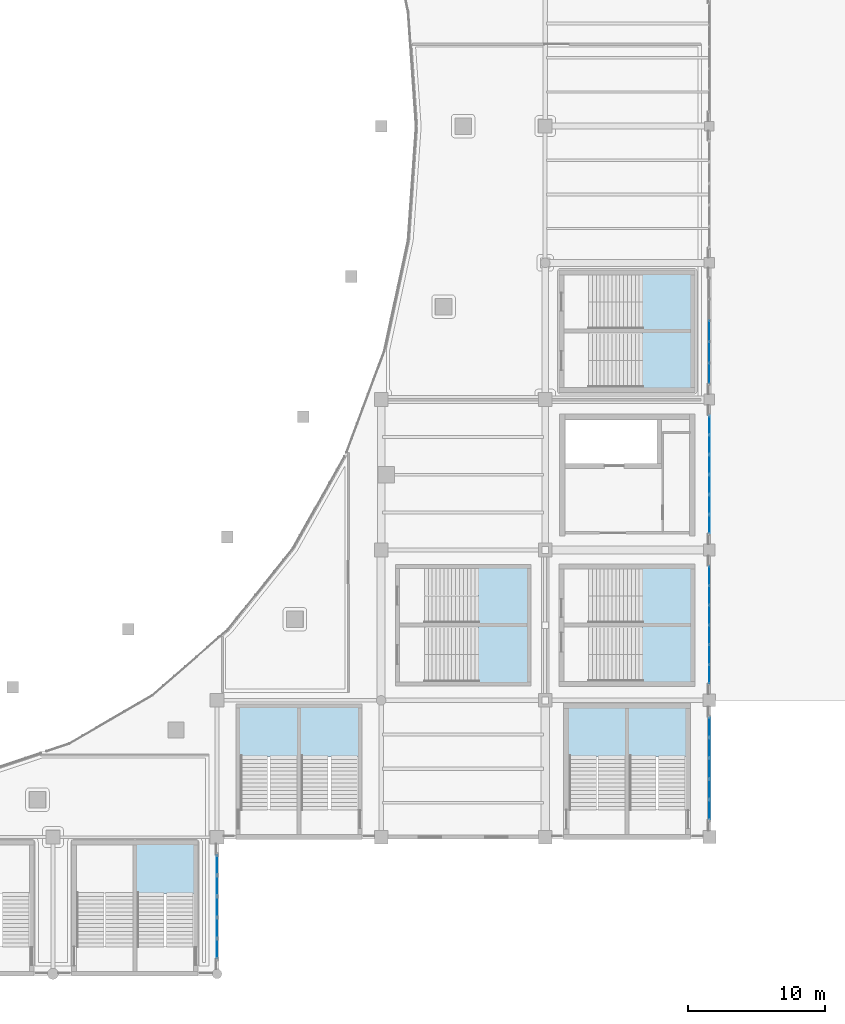
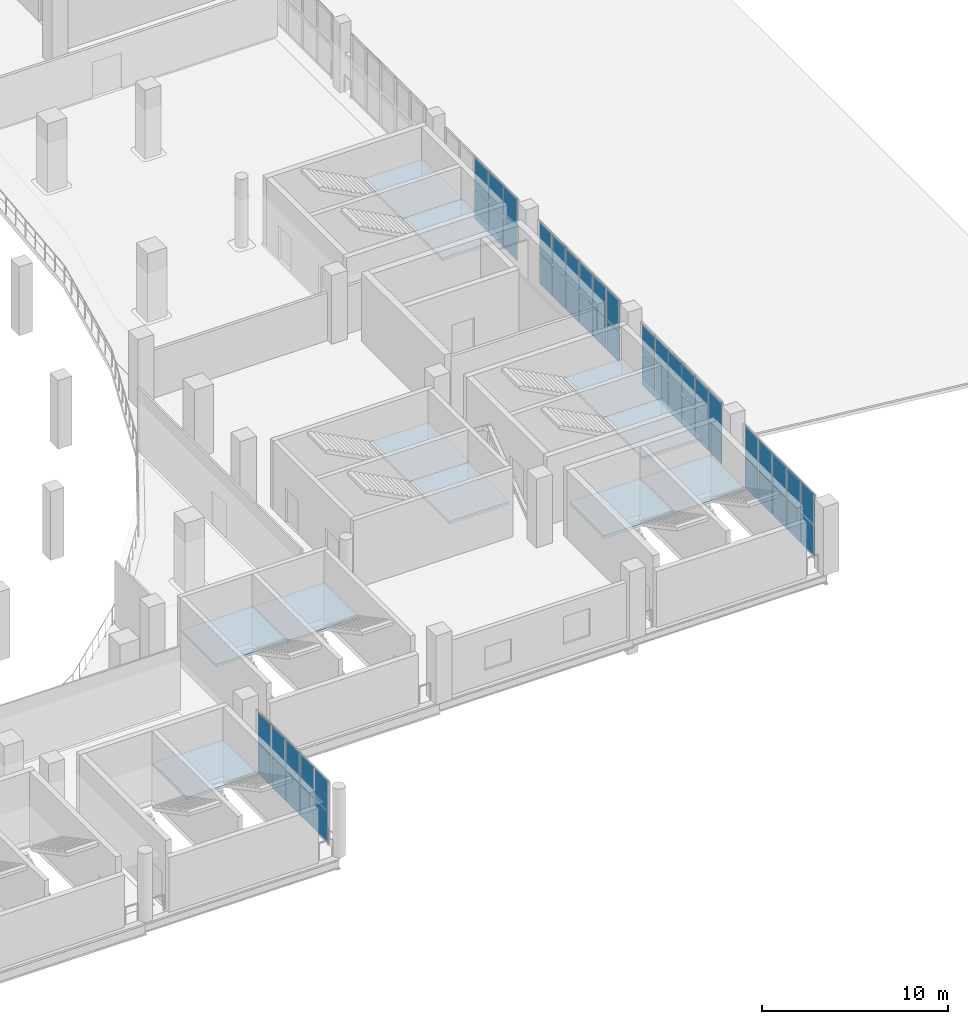
# One storey, part 74 of 108: 50 plates, 11 slabs, 16 elements without a shape of their own.
"""IFC4 building model written with IfcOpenShell, lengths in metres."""

from ifc_helpers import new_model, si_unit, direction, frame, origin, origin_2d, place, context, subcontext, project, spatial, polyline, rectangle, outline, extrude, material, layer, layer_set, type_object, element, aggregate, save


model = new_model("IFC4")

# Units and contexts
model_context = context("Model", 3, precision=1e-05, world=origin(), true_north=direction((0.0, 1.0)))
body_context = subcontext(model_context, "Body", "Model", "MODEL_VIEW")
ifc_project = project(units=[si_unit("LENGTHUNIT", "METRE"), si_unit("AREAUNIT", "SQUARE_METRE"), si_unit("VOLUMEUNIT", "CUBIC_METRE"), si_unit("PLANEANGLEUNIT", "RADIAN"), si_unit("MASSUNIT", "GRAM", prefix="KILO")], contexts=[model_context])

# Site, building, storey
site_placement = place(None, origin())
site = spatial("IfcSite", under=ifc_project, at=site_placement, CompositionType="ELEMENT")
building_placement = place(site_placement, origin())
building = spatial("IfcBuilding", under=site, at=building_placement, Name="Brinegate Civic Arena", CompositionType="ELEMENT")
storey_placement = place(building_placement, frame((0.0, 0.0, 10.199951171875)))
storey = spatial("IfcBuildingStorey", under=building, at=storey_placement, Name="L02", CompositionType="ELEMENT", Elevation=10.199951171875)

# Curtain wall, plates
ifc_material_1 = material(Name="Marine grade aluminium", Category="aluminium")
ifc_layer_1 = layer(ifc_material_1, 0.199951171875, Name="Marine grade aluminium")
ifc_layer_set_1 = layer_set([ifc_layer_1], Name="Marine grade aluminium")
curtain_wall_type_1 = type_object("IfcCurtainWallType", Name="CW-BOWL-GLAZED-01", PredefinedType="USERDEFINED", material=ifc_layer_set_1)
curtain_wall_1_placement = place(storey_placement, origin())
curtain_wall_1 = element("IfcCurtainWall", 1, at=curtain_wall_1_placement, inside=storey, type_object=curtain_wall_type_1, Name="Curtain Wall CWA-076", ObjectType="GLAZED CURTAIN WALL", PredefinedType="USERDEFINED")
ifc_material_2 = material(Name="Hurricane laminated low-E glass", Category="glass")
ifc_layer_2 = layer(ifc_material_2, 0.028076171875, Name="Hurricane laminated low-E glass")
ifc_layer_set_2 = layer_set([ifc_layer_2], Name="Hurricane laminated low-E glass")
plate_type_1 = type_object("IfcPlateType", Name="CW-PANEL-GLAZED-28", PredefinedType="CURTAIN_PANEL", material=ifc_layer_set_2)
plate_1_placement = place(storey_placement, frame((168.0, 21.924072265625, 0.0751953125), z_axis=(0.0, 0.0, 1.0), x_axis=(0.0, 1.0, 0.0)))
plate_1 = element("IfcPlate", 2, at=plate_1_placement, type_object=plate_type_1, Name="CWA-076 panel 1.1", PredefinedType="CURTAIN_PANEL", context=body_context, shape_type="SweptSolid", body=[
    extrude(rectangle(XDim=1.346435546875, YDim=0.028076171875, at=origin_2d()), origin(), (0.0, 0.0, 1.0), 1.96240234375),
])
plate_2_placement = place(storey_placement, frame((168.0, 21.924072265625, 2.112548828125), z_axis=(0.0, 0.0, 1.0), x_axis=(0.0, 1.0, 0.0)))
plate_2 = element("IfcPlate", 3, at=plate_2_placement, type_object=plate_type_1, Name="CWA-076 panel 1.2", PredefinedType="CURTAIN_PANEL", context=body_context, shape_type="SweptSolid", body=[
    extrude(rectangle(XDim=1.346435546875, YDim=0.028076171875, at=origin_2d()), origin(), (0.0, 0.0, 1.0), 1.96240234375),
])
plate_3_placement = place(storey_placement, frame((168.0, 23.351806640625, 0.0751953125), z_axis=(0.0, 0.0, 1.0), x_axis=(0.0, 1.0, 0.0)))
plate_3 = element("IfcPlate", 4, at=plate_3_placement, type_object=plate_type_1, Name="CWA-076 panel 2.1", PredefinedType="CURTAIN_PANEL", context=body_context, shape_type="SweptSolid", body=[
    extrude(rectangle(XDim=1.37890625, YDim=0.028076171875, at=origin_2d()), origin(), (0.0, 0.0, 1.0), 1.96240234375),
])
plate_4_placement = place(storey_placement, frame((168.0, 23.351806640625, 2.112548828125), z_axis=(0.0, 0.0, 1.0), x_axis=(0.0, 1.0, 0.0)))
plate_4 = element("IfcPlate", 5, at=plate_4_placement, type_object=plate_type_1, Name="CWA-076 panel 2.2", PredefinedType="CURTAIN_PANEL", context=body_context, shape_type="SweptSolid", body=[
    extrude(rectangle(XDim=1.37890625, YDim=0.028076171875, at=origin_2d()), origin(), (0.0, 0.0, 1.0), 1.96240234375),
])
plate_5_placement = place(storey_placement, frame((168.0, 24.795654296875, 0.0751953125), z_axis=(0.0, 0.0, 1.0), x_axis=(0.0, 1.0, 0.0)))
plate_5 = element("IfcPlate", 6, at=plate_5_placement, type_object=plate_type_1, Name="CWA-076 panel 3.1", PredefinedType="CURTAIN_PANEL", context=body_context, shape_type="SweptSolid", body=[
    extrude(rectangle(XDim=1.37890625, YDim=0.028076171875, at=origin_2d()), origin(), (0.0, 0.0, 1.0), 1.96240234375),
])
plate_6_placement = place(storey_placement, frame((168.0, 24.795654296875, 2.112548828125), z_axis=(0.0, 0.0, 1.0), x_axis=(0.0, 1.0, 0.0)))
plate_6 = element("IfcPlate", 7, at=plate_6_placement, type_object=plate_type_1, Name="CWA-076 panel 3.2", PredefinedType="CURTAIN_PANEL", context=body_context, shape_type="SweptSolid", body=[
    extrude(rectangle(XDim=1.37890625, YDim=0.028076171875, at=origin_2d()), origin(), (0.0, 0.0, 1.0), 1.96240234375),
])
plate_7_placement = place(storey_placement, frame((168.0, 26.239501953125, 0.0751953125), z_axis=(0.0, 0.0, 1.0), x_axis=(0.0, 1.0, 0.0)))
plate_7 = element("IfcPlate", 8, at=plate_7_placement, type_object=plate_type_1, Name="CWA-076 panel 4.1", PredefinedType="CURTAIN_PANEL", context=body_context, shape_type="SweptSolid", body=[
    extrude(rectangle(XDim=1.37890625, YDim=0.028076171875, at=origin_2d()), origin(), (0.0, 0.0, 1.0), 1.96240234375),
])
plate_8_placement = place(storey_placement, frame((168.0, 26.239501953125, 2.112548828125), z_axis=(0.0, 0.0, 1.0), x_axis=(0.0, 1.0, 0.0)))
plate_8 = element("IfcPlate", 9, at=plate_8_placement, type_object=plate_type_1, Name="CWA-076 panel 4.2", PredefinedType="CURTAIN_PANEL", context=body_context, shape_type="SweptSolid", body=[
    extrude(rectangle(XDim=1.37890625, YDim=0.028076171875, at=origin_2d()), origin(), (0.0, 0.0, 1.0), 1.96240234375),
])
plate_9_placement = place(storey_placement, frame((168.0, 27.683349609375, 0.0751953125), z_axis=(0.0, 0.0, 1.0), x_axis=(0.0, 1.0, 0.0)))
plate_9 = element("IfcPlate", 10, at=plate_9_placement, type_object=plate_type_1, Name="CWA-076 panel 5.1", PredefinedType="CURTAIN_PANEL", context=body_context, shape_type="SweptSolid", body=[
    extrude(rectangle(XDim=1.37890625, YDim=0.028076171875, at=origin_2d()), origin(), (0.0, 0.0, 1.0), 1.96240234375),
])
plate_10_placement = place(storey_placement, frame((168.0, 27.683349609375, 2.112548828125), z_axis=(0.0, 0.0, 1.0), x_axis=(0.0, 1.0, 0.0)))
plate_10 = element("IfcPlate", 11, at=plate_10_placement, type_object=plate_type_1, Name="CWA-076 panel 5.2", PredefinedType="CURTAIN_PANEL", context=body_context, shape_type="SweptSolid", body=[
    extrude(rectangle(XDim=1.37890625, YDim=0.028076171875, at=origin_2d()), origin(), (0.0, 0.0, 1.0), 1.96240234375),
])
plate_11_placement = place(storey_placement, frame((168.0, 29.11083984375, 0.0751953125), z_axis=(0.0, 0.0, 1.0), x_axis=(0.0, 1.0, 0.0)))
plate_11 = element("IfcPlate", 12, at=plate_11_placement, type_object=plate_type_1, Name="CWA-076 panel 6.1", PredefinedType="CURTAIN_PANEL", context=body_context, shape_type="SweptSolid", body=[
    extrude(rectangle(XDim=1.346435546875, YDim=0.028076171875, at=origin_2d()), origin(), (0.0, 0.0, 1.0), 1.96240234375),
])
plate_12_placement = place(storey_placement, frame((168.0, 29.11083984375, 2.112548828125), z_axis=(0.0, 0.0, 1.0), x_axis=(0.0, 1.0, 0.0)))
plate_12 = element("IfcPlate", 13, at=plate_12_placement, type_object=plate_type_1, Name="CWA-076 panel 6.2", PredefinedType="CURTAIN_PANEL", context=body_context, shape_type="SweptSolid", body=[
    extrude(rectangle(XDim=1.346435546875, YDim=0.028076171875, at=origin_2d()), origin(), (0.0, 0.0, 1.0), 1.96240234375),
])
aggregate(curtain_wall_1, [plate_1, plate_2, plate_3, plate_4, plate_5, plate_6, plate_7, plate_8, plate_9, plate_10, plate_11, plate_12])

curtain_wall_2_placement = place(storey_placement, origin())
curtain_wall_2 = element("IfcCurtainWall", 14, at=curtain_wall_2_placement, inside=storey, type_object=curtain_wall_type_1, Name="Curtain Wall CWA-080", ObjectType="GLAZED CURTAIN WALL", PredefinedType="USERDEFINED")
plate_13_placement = place(storey_placement, frame((168.0, 43.91259765625, 0.06494140625), z_axis=(0.0, 0.0, 1.0), x_axis=(0.0, 1.0, 0.0)))
plate_13 = element("IfcPlate", 15, at=plate_13_placement, type_object=plate_type_1, Name="CWA-080 panel 1.1", PredefinedType="CURTAIN_PANEL", context=body_context, shape_type="SweptSolid", body=[
    extrude(rectangle(XDim=1.46337890625, YDim=0.028076171875, at=origin_2d()), origin(), (0.0, 0.0, 1.0), 1.9775390625),
])
plate_14_placement = place(storey_placement, frame((168.0, 43.91259765625, 2.107421875), z_axis=(0.0, 0.0, 1.0), x_axis=(0.0, 1.0, 0.0)))
plate_14 = element("IfcPlate", 16, at=plate_14_placement, type_object=plate_type_1, Name="CWA-080 panel 1.2", PredefinedType="CURTAIN_PANEL", context=body_context, shape_type="SweptSolid", body=[
    extrude(rectangle(XDim=1.46337890625, YDim=0.028076171875, at=origin_2d()), origin(), (0.0, 0.0, 1.0), 1.9775390625),
])
plate_15_placement = place(storey_placement, frame((168.0, 45.457275390625, 0.06494140625), z_axis=(0.0, 0.0, 1.0), x_axis=(0.0, 1.0, 0.0)))
plate_15 = element("IfcPlate", 17, at=plate_15_placement, type_object=plate_type_1, Name="CWA-080 panel 2.1", PredefinedType="CURTAIN_PANEL", context=body_context, shape_type="SweptSolid", body=[
    extrude(rectangle(XDim=1.495849609375, YDim=0.028076171875, at=origin_2d()), origin(), (0.0, 0.0, 1.0), 1.9775390625),
])
plate_16_placement = place(storey_placement, frame((168.0, 45.457275390625, 2.107421875), z_axis=(0.0, 0.0, 1.0), x_axis=(0.0, 1.0, 0.0)))
plate_16 = element("IfcPlate", 18, at=plate_16_placement, type_object=plate_type_1, Name="CWA-080 panel 2.2", PredefinedType="CURTAIN_PANEL", context=body_context, shape_type="SweptSolid", body=[
    extrude(rectangle(XDim=1.495849609375, YDim=0.028076171875, at=origin_2d()), origin(), (0.0, 0.0, 1.0), 1.9775390625),
])
plate_17_placement = place(storey_placement, frame((168.0, 47.01806640625, 0.06494140625), z_axis=(0.0, 0.0, 1.0), x_axis=(0.0, 1.0, 0.0)))
plate_17 = element("IfcPlate", 19, at=plate_17_placement, type_object=plate_type_1, Name="CWA-080 panel 3.1", PredefinedType="CURTAIN_PANEL", context=body_context, shape_type="SweptSolid", body=[
    extrude(rectangle(XDim=1.495849609375, YDim=0.028076171875, at=origin_2d()), origin(), (0.0, 0.0, 1.0), 1.9775390625),
])
plate_18_placement = place(storey_placement, frame((168.0, 47.01806640625, 2.107421875), z_axis=(0.0, 0.0, 1.0), x_axis=(0.0, 1.0, 0.0)))
plate_18 = element("IfcPlate", 20, at=plate_18_placement, type_object=plate_type_1, Name="CWA-080 panel 3.2", PredefinedType="CURTAIN_PANEL", context=body_context, shape_type="SweptSolid", body=[
    extrude(rectangle(XDim=1.495849609375, YDim=0.028076171875, at=origin_2d()), origin(), (0.0, 0.0, 1.0), 1.9775390625),
])
aggregate(curtain_wall_2, [plate_13, plate_14, plate_15, plate_16, plate_17, plate_18])

curtain_wall_3_placement = place(storey_placement, origin())
curtain_wall_3 = element("IfcCurtainWall", 21, at=curtain_wall_3_placement, inside=storey, type_object=curtain_wall_type_1, Name="Curtain Wall CWA-074", ObjectType="GLAZED CURTAIN WALL", PredefinedType="USERDEFINED")
ifc_layer_3 = layer(ifc_material_2, 0.035888671875, Name="Hurricane laminated low-E glass")
ifc_layer_set_3 = layer_set([ifc_layer_3], Name="Hurricane laminated low-E glass")
plate_type_2 = type_object("IfcPlateType", Name="CW-PANEL-GLAZED-36", PredefinedType="CURTAIN_PANEL", material=ifc_layer_set_3)
plate_19_placement = place(storey_placement, frame((168.0, 12.0, 0.06494140625), z_axis=(0.0, 0.0, 1.0), x_axis=(0.0, 1.0, 0.0)))
plate_19 = element("IfcPlate", 22, at=plate_19_placement, type_object=plate_type_2, Name="CWA-074 panel 1.1", PredefinedType="CURTAIN_PANEL", context=body_context, shape_type="SweptSolid", body=[
    extrude(rectangle(XDim=1.406005859375, YDim=0.035888671875, at=origin_2d()), origin(), (0.0, 0.0, 1.0), 1.9775390625),
])
plate_20_placement = place(storey_placement, frame((168.0, 12.0, 2.107421875), z_axis=(0.0, 0.0, 1.0), x_axis=(0.0, 1.0, 0.0)))
plate_20 = element("IfcPlate", 23, at=plate_20_placement, type_object=plate_type_2, Name="CWA-074 panel 1.2", PredefinedType="CURTAIN_PANEL", context=body_context, shape_type="SweptSolid", body=[
    extrude(rectangle(XDim=1.406005859375, YDim=0.035888671875, at=origin_2d()), origin(), (0.0, 0.0, 1.0), 1.9775390625),
])
plate_21_placement = place(storey_placement, frame((168.0, 13.49951171875, 0.06494140625), z_axis=(0.0, 0.0, 1.0), x_axis=(0.0, 1.0, 0.0)))
plate_21 = element("IfcPlate", 24, at=plate_21_placement, type_object=plate_type_2, Name="CWA-074 panel 2.1", PredefinedType="CURTAIN_PANEL", context=body_context, shape_type="SweptSolid", body=[
    extrude(rectangle(XDim=1.443359375, YDim=0.035888671875, at=origin_2d()), origin(), (0.0, 0.0, 1.0), 1.9775390625),
])
plate_22_placement = place(storey_placement, frame((168.0, 13.49951171875, 2.107421875), z_axis=(0.0, 0.0, 1.0), x_axis=(0.0, 1.0, 0.0)))
plate_22 = element("IfcPlate", 25, at=plate_22_placement, type_object=plate_type_2, Name="CWA-074 panel 2.2", PredefinedType="CURTAIN_PANEL", context=body_context, shape_type="SweptSolid", body=[
    extrude(rectangle(XDim=1.443359375, YDim=0.035888671875, at=origin_2d()), origin(), (0.0, 0.0, 1.0), 1.9775390625),
])
plate_23_placement = place(storey_placement, frame((168.0, 15.01806640625, 0.06494140625), z_axis=(0.0, 0.0, 1.0), x_axis=(0.0, 1.0, 0.0)))
plate_23 = element("IfcPlate", 26, at=plate_23_placement, type_object=plate_type_2, Name="CWA-074 panel 3.1", PredefinedType="CURTAIN_PANEL", context=body_context, shape_type="SweptSolid", body=[
    extrude(rectangle(XDim=1.443359375, YDim=0.035888671875, at=origin_2d()), origin(), (0.0, 0.0, 1.0), 1.9775390625),
])
plate_24_placement = place(storey_placement, frame((168.0, 15.01806640625, 2.107421875), z_axis=(0.0, 0.0, 1.0), x_axis=(0.0, 1.0, 0.0)))
plate_24 = element("IfcPlate", 27, at=plate_24_placement, type_object=plate_type_2, Name="CWA-074 panel 3.2", PredefinedType="CURTAIN_PANEL", context=body_context, shape_type="SweptSolid", body=[
    extrude(rectangle(XDim=1.443359375, YDim=0.035888671875, at=origin_2d()), origin(), (0.0, 0.0, 1.0), 1.9775390625),
])
plate_25_placement = place(storey_placement, frame((168.0, 16.536376953125, 0.06494140625), z_axis=(0.0, 0.0, 1.0), x_axis=(0.0, 1.0, 0.0)))
plate_25 = element("IfcPlate", 28, at=plate_25_placement, type_object=plate_type_2, Name="CWA-074 panel 4.1", PredefinedType="CURTAIN_PANEL", context=body_context, shape_type="SweptSolid", body=[
    extrude(rectangle(XDim=1.443359375, YDim=0.035888671875, at=origin_2d()), origin(), (0.0, 0.0, 1.0), 1.9775390625),
])
plate_26_placement = place(storey_placement, frame((168.0, 16.536376953125, 2.107421875), z_axis=(0.0, 0.0, 1.0), x_axis=(0.0, 1.0, 0.0)))
plate_26 = element("IfcPlate", 29, at=plate_26_placement, type_object=plate_type_2, Name="CWA-074 panel 4.2", PredefinedType="CURTAIN_PANEL", context=body_context, shape_type="SweptSolid", body=[
    extrude(rectangle(XDim=1.443359375, YDim=0.035888671875, at=origin_2d()), origin(), (0.0, 0.0, 1.0), 1.9775390625),
])
plate_27_placement = place(storey_placement, frame((168.0, 18.0361328125, 0.06494140625), z_axis=(0.0, 0.0, 1.0), x_axis=(0.0, 1.0, 0.0)))
plate_27 = element("IfcPlate", 30, at=plate_27_placement, type_object=plate_type_2, Name="CWA-074 panel 5.1", PredefinedType="CURTAIN_PANEL", context=body_context, shape_type="SweptSolid", body=[
    extrude(rectangle(XDim=1.406005859375, YDim=0.035888671875, at=origin_2d()), origin(), (0.0, 0.0, 1.0), 1.9775390625),
])
plate_28_placement = place(storey_placement, frame((168.0, 18.0361328125, 2.107421875), z_axis=(0.0, 0.0, 1.0), x_axis=(0.0, 1.0, 0.0)))
plate_28 = element("IfcPlate", 31, at=plate_28_placement, type_object=plate_type_2, Name="CWA-074 panel 5.2", PredefinedType="CURTAIN_PANEL", context=body_context, shape_type="SweptSolid", body=[
    extrude(rectangle(XDim=1.406005859375, YDim=0.035888671875, at=origin_2d()), origin(), (0.0, 0.0, 1.0), 1.9775390625),
])
aggregate(curtain_wall_3, [plate_19, plate_20, plate_21, plate_22, plate_23, plate_24, plate_25, plate_26, plate_27, plate_28])

curtain_wall_4_placement = place(storey_placement, origin())
curtain_wall_4 = element("IfcCurtainWall", 32, at=curtain_wall_4_placement, inside=storey, type_object=curtain_wall_type_1, Name="Curtain Wall CWA-078", ObjectType="GLAZED CURTAIN WALL", PredefinedType="USERDEFINED")
plate_29_placement = place(storey_placement, frame((168.0, 32.8974609375, 0.06494140625), z_axis=(0.0, 0.0, 1.0), x_axis=(0.0, 1.0, 0.0)))
plate_29 = element("IfcPlate", 33, at=plate_29_placement, type_object=plate_type_2, Name="CWA-078 panel 1.1", PredefinedType="CURTAIN_PANEL", context=body_context, shape_type="SweptSolid", body=[
    extrude(rectangle(XDim=1.343017578125, YDim=0.035888671875, at=origin_2d()), origin(), (0.0, 0.0, 1.0), 1.9775390625),
])
plate_30_placement = place(storey_placement, frame((168.0, 32.8974609375, 2.107421875), z_axis=(0.0, 0.0, 1.0), x_axis=(0.0, 1.0, 0.0)))
plate_30 = element("IfcPlate", 34, at=plate_30_placement, type_object=plate_type_2, Name="CWA-078 panel 1.2", PredefinedType="CURTAIN_PANEL", context=body_context, shape_type="SweptSolid", body=[
    extrude(rectangle(XDim=1.343017578125, YDim=0.035888671875, at=origin_2d()), origin(), (0.0, 0.0, 1.0), 1.9775390625),
])
plate_31_placement = place(storey_placement, frame((168.0, 34.334228515625, 0.06494140625), z_axis=(0.0, 0.0, 1.0), x_axis=(0.0, 1.0, 0.0)))
plate_31 = element("IfcPlate", 35, at=plate_31_placement, type_object=plate_type_2, Name="CWA-078 panel 2.1", PredefinedType="CURTAIN_PANEL", context=body_context, shape_type="SweptSolid", body=[
    extrude(rectangle(XDim=1.380615234375, YDim=0.035888671875, at=origin_2d()), origin(), (0.0, 0.0, 1.0), 1.9775390625),
])
plate_32_placement = place(storey_placement, frame((168.0, 34.334228515625, 2.107421875), z_axis=(0.0, 0.0, 1.0), x_axis=(0.0, 1.0, 0.0)))
plate_32 = element("IfcPlate", 36, at=plate_32_placement, type_object=plate_type_2, Name="CWA-078 panel 2.2", PredefinedType="CURTAIN_PANEL", context=body_context, shape_type="SweptSolid", body=[
    extrude(rectangle(XDim=1.380615234375, YDim=0.035888671875, at=origin_2d()), origin(), (0.0, 0.0, 1.0), 1.9775390625),
])
plate_33_placement = place(storey_placement, frame((168.0, 35.789794921875, 0.06494140625), z_axis=(0.0, 0.0, 1.0), x_axis=(0.0, 1.0, 0.0)))
plate_33 = element("IfcPlate", 37, at=plate_33_placement, type_object=plate_type_2, Name="CWA-078 panel 3.1", PredefinedType="CURTAIN_PANEL", context=body_context, shape_type="SweptSolid", body=[
    extrude(rectangle(XDim=1.380615234375, YDim=0.035888671875, at=origin_2d()), origin(), (0.0, 0.0, 1.0), 1.9775390625),
])
plate_34_placement = place(storey_placement, frame((168.0, 35.789794921875, 2.107421875), z_axis=(0.0, 0.0, 1.0), x_axis=(0.0, 1.0, 0.0)))
plate_34 = element("IfcPlate", 38, at=plate_34_placement, type_object=plate_type_2, Name="CWA-078 panel 3.2", PredefinedType="CURTAIN_PANEL", context=body_context, shape_type="SweptSolid", body=[
    extrude(rectangle(XDim=1.380615234375, YDim=0.035888671875, at=origin_2d()), origin(), (0.0, 0.0, 1.0), 1.9775390625),
])
plate_35_placement = place(storey_placement, frame((168.0, 37.245361328125, 0.06494140625), z_axis=(0.0, 0.0, 1.0), x_axis=(0.0, 1.0, 0.0)))
plate_35 = element("IfcPlate", 39, at=plate_35_placement, type_object=plate_type_2, Name="CWA-078 panel 4.1", PredefinedType="CURTAIN_PANEL", context=body_context, shape_type="SweptSolid", body=[
    extrude(rectangle(XDim=1.380615234375, YDim=0.035888671875, at=origin_2d()), origin(), (0.0, 0.0, 1.0), 1.9775390625),
])
plate_36_placement = place(storey_placement, frame((168.0, 37.245361328125, 2.107421875), z_axis=(0.0, 0.0, 1.0), x_axis=(0.0, 1.0, 0.0)))
plate_36 = element("IfcPlate", 40, at=plate_36_placement, type_object=plate_type_2, Name="CWA-078 panel 4.2", PredefinedType="CURTAIN_PANEL", context=body_context, shape_type="SweptSolid", body=[
    extrude(rectangle(XDim=1.380615234375, YDim=0.035888671875, at=origin_2d()), origin(), (0.0, 0.0, 1.0), 1.9775390625),
])
plate_37_placement = place(storey_placement, frame((168.0, 38.70068359375, 0.06494140625), z_axis=(0.0, 0.0, 1.0), x_axis=(0.0, 1.0, 0.0)))
plate_37 = element("IfcPlate", 41, at=plate_37_placement, type_object=plate_type_2, Name="CWA-078 panel 5.1", PredefinedType="CURTAIN_PANEL", context=body_context, shape_type="SweptSolid", body=[
    extrude(rectangle(XDim=1.380615234375, YDim=0.035888671875, at=origin_2d()), origin(), (0.0, 0.0, 1.0), 1.9775390625),
])
plate_38_placement = place(storey_placement, frame((168.0, 38.70068359375, 2.107421875), z_axis=(0.0, 0.0, 1.0), x_axis=(0.0, 1.0, 0.0)))
plate_38 = element("IfcPlate", 42, at=plate_38_placement, type_object=plate_type_2, Name="CWA-078 panel 5.2", PredefinedType="CURTAIN_PANEL", context=body_context, shape_type="SweptSolid", body=[
    extrude(rectangle(XDim=1.380615234375, YDim=0.035888671875, at=origin_2d()), origin(), (0.0, 0.0, 1.0), 1.9775390625),
])
plate_39_placement = place(storey_placement, frame((168.0, 40.137451171875, 0.06494140625), z_axis=(0.0, 0.0, 1.0), x_axis=(0.0, 1.0, 0.0)))
plate_39 = element("IfcPlate", 43, at=plate_39_placement, type_object=plate_type_2, Name="CWA-078 panel 6.1", PredefinedType="CURTAIN_PANEL", context=body_context, shape_type="SweptSolid", body=[
    extrude(rectangle(XDim=1.343017578125, YDim=0.035888671875, at=origin_2d()), origin(), (0.0, 0.0, 1.0), 1.9775390625),
])
plate_40_placement = place(storey_placement, frame((168.0, 40.137451171875, 2.107421875), z_axis=(0.0, 0.0, 1.0), x_axis=(0.0, 1.0, 0.0)))
plate_40 = element("IfcPlate", 44, at=plate_40_placement, type_object=plate_type_2, Name="CWA-078 panel 6.2", PredefinedType="CURTAIN_PANEL", context=body_context, shape_type="SweptSolid", body=[
    extrude(rectangle(XDim=1.343017578125, YDim=0.035888671875, at=origin_2d()), origin(), (0.0, 0.0, 1.0), 1.9775390625),
])
aggregate(curtain_wall_4, [plate_29, plate_30, plate_31, plate_32, plate_33, plate_34, plate_35, plate_36, plate_37, plate_38, plate_39, plate_40])

ifc_layer_4 = layer(ifc_material_1, 0.25, Name="Marine grade aluminium")
ifc_layer_set_4 = layer_set([ifc_layer_4], Name="Marine grade aluminium")
curtain_wall_type_2 = type_object("IfcCurtainWallType", Name="CW-PORTAL-SOUTH-02", PredefinedType="USERDEFINED", material=ifc_layer_set_4)
curtain_wall_5_placement = place(storey_placement, origin())
curtain_wall_5 = element("IfcCurtainWall", 45, at=curtain_wall_5_placement, inside=storey, type_object=curtain_wall_type_2, Name="Curtain Wall CWA-103", ObjectType="PORTAL CURTAIN WALL", PredefinedType="USERDEFINED")
ifc_layer_5 = layer(ifc_material_2, 0.0419921875, Name="Hurricane laminated low-E glass")
ifc_layer_set_5 = layer_set([ifc_layer_5], Name="Hurricane laminated low-E glass")
plate_type_3 = type_object("IfcPlateType", Name="CW-PANEL-SPANDREL-42", PredefinedType="CURTAIN_PANEL", material=ifc_layer_set_5)
plate_41_placement = place(storey_placement, frame((132.0, 1.834716796875, 0.06494140625), z_axis=(0.0, 0.0, 1.0), x_axis=(0.0, 1.0, 0.0)))
plate_41 = element("IfcPlate", 46, at=plate_41_placement, type_object=plate_type_3, Name="CWA-103 panel 1.1", PredefinedType="CURTAIN_PANEL", context=body_context, shape_type="SweptSolid", body=[
    extrude(rectangle(XDim=1.419677734375, YDim=0.0419921875, at=origin_2d()), origin(), (0.0, 0.0, 1.0), 1.9775390625),
])
plate_42_placement = place(storey_placement, frame((132.0, 1.834716796875, 2.107421875), z_axis=(0.0, 0.0, 1.0), x_axis=(0.0, 1.0, 0.0)))
plate_42 = element("IfcPlate", 47, at=plate_42_placement, type_object=plate_type_3, Name="CWA-103 panel 1.2", PredefinedType="CURTAIN_PANEL", context=body_context, shape_type="SweptSolid", body=[
    extrude(rectangle(XDim=1.419677734375, YDim=0.0419921875, at=origin_2d()), origin(), (0.0, 0.0, 1.0), 1.9775390625),
])
plate_43_placement = place(storey_placement, frame((132.0, 3.3544921875, 0.06494140625), z_axis=(0.0, 0.0, 1.0), x_axis=(0.0, 1.0, 0.0)))
plate_43 = element("IfcPlate", 48, at=plate_43_placement, type_object=plate_type_3, Name="CWA-103 panel 2.1", PredefinedType="CURTAIN_PANEL", context=body_context, shape_type="SweptSolid", body=[
    extrude(rectangle(XDim=1.459716796875, YDim=0.0419921875, at=origin_2d()), origin(), (0.0, 0.0, 1.0), 1.9775390625),
])
plate_44_placement = place(storey_placement, frame((132.0, 3.3544921875, 2.107421875), z_axis=(0.0, 0.0, 1.0), x_axis=(0.0, 1.0, 0.0)))
plate_44 = element("IfcPlate", 49, at=plate_44_placement, type_object=plate_type_3, Name="CWA-103 panel 2.2", PredefinedType="CURTAIN_PANEL", context=body_context, shape_type="SweptSolid", body=[
    extrude(rectangle(XDim=1.459716796875, YDim=0.0419921875, at=origin_2d()), origin(), (0.0, 0.0, 1.0), 1.9775390625),
])
plate_45_placement = place(storey_placement, frame((132.0, 4.89404296875, 0.06494140625), z_axis=(0.0, 0.0, 1.0), x_axis=(0.0, 1.0, 0.0)))
plate_45 = element("IfcPlate", 50, at=plate_45_placement, type_object=plate_type_3, Name="CWA-103 panel 3.1", PredefinedType="CURTAIN_PANEL", context=body_context, shape_type="SweptSolid", body=[
    extrude(rectangle(XDim=1.459716796875, YDim=0.0419921875, at=origin_2d()), origin(), (0.0, 0.0, 1.0), 1.9775390625),
])
plate_46_placement = place(storey_placement, frame((132.0, 4.89404296875, 2.107421875), z_axis=(0.0, 0.0, 1.0), x_axis=(0.0, 1.0, 0.0)))
plate_46 = element("IfcPlate", 51, at=plate_46_placement, type_object=plate_type_3, Name="CWA-103 panel 3.2", PredefinedType="CURTAIN_PANEL", context=body_context, shape_type="SweptSolid", body=[
    extrude(rectangle(XDim=1.459716796875, YDim=0.0419921875, at=origin_2d()), origin(), (0.0, 0.0, 1.0), 1.9775390625),
])
plate_47_placement = place(storey_placement, frame((132.0, 6.43359375, 0.06494140625), z_axis=(0.0, 0.0, 1.0), x_axis=(0.0, 1.0, 0.0)))
plate_47 = element("IfcPlate", 52, at=plate_47_placement, type_object=plate_type_3, Name="CWA-103 panel 4.1", PredefinedType="CURTAIN_PANEL", context=body_context, shape_type="SweptSolid", body=[
    extrude(rectangle(XDim=1.459716796875, YDim=0.0419921875, at=origin_2d()), origin(), (0.0, 0.0, 1.0), 1.9775390625),
])
plate_48_placement = place(storey_placement, frame((132.0, 6.43359375, 2.107421875), z_axis=(0.0, 0.0, 1.0), x_axis=(0.0, 1.0, 0.0)))
plate_48 = element("IfcPlate", 53, at=plate_48_placement, type_object=plate_type_3, Name="CWA-103 panel 4.2", PredefinedType="CURTAIN_PANEL", context=body_context, shape_type="SweptSolid", body=[
    extrude(rectangle(XDim=1.459716796875, YDim=0.0419921875, at=origin_2d()), origin(), (0.0, 0.0, 1.0), 1.9775390625),
])
plate_49_placement = place(storey_placement, frame((132.0, 7.953125, 0.06494140625), z_axis=(0.0, 0.0, 1.0), x_axis=(0.0, 1.0, 0.0)))
plate_49 = element("IfcPlate", 54, at=plate_49_placement, type_object=plate_type_3, Name="CWA-103 panel 5.1", PredefinedType="CURTAIN_PANEL", context=body_context, shape_type="SweptSolid", body=[
    extrude(rectangle(XDim=1.419677734375, YDim=0.0419921875, at=origin_2d()), origin(), (0.0, 0.0, 1.0), 1.9775390625),
])
plate_50_placement = place(storey_placement, frame((132.0, 7.953125, 2.107421875), z_axis=(0.0, 0.0, 1.0), x_axis=(0.0, 1.0, 0.0)))
plate_50 = element("IfcPlate", 55, at=plate_50_placement, type_object=plate_type_3, Name="CWA-103 panel 5.2", PredefinedType="CURTAIN_PANEL", context=body_context, shape_type="SweptSolid", body=[
    extrude(rectangle(XDim=1.419677734375, YDim=0.0419921875, at=origin_2d()), origin(), (0.0, 0.0, 1.0), 1.9775390625),
])
aggregate(curtain_wall_5, [plate_41, plate_42, plate_43, plate_44, plate_45, plate_46, plate_47, plate_48, plate_49, plate_50])

# Stair, slab
ifc_material_3 = material(Name="Concrete C40/50", Category="concrete")
stair_type_1 = type_object("IfcStairType", Name="STAIR-EXIT-3700", PredefinedType="HALF_TURN_STAIR", material=ifc_material_3)
stair_1_placement = place(storey_placement, origin())
stair_1 = element("IfcStair", 56, at=stair_1_placement, inside=storey, type_object=stair_type_1, Name="Protected Exit Stair ST-04B (L02)", PredefinedType="HALF_TURN_STAIR")
ifc_layer_6 = layer(ifc_material_3, 0.179931640625, Name="Concrete C40/50")
ifc_layer_set_6 = layer_set([ifc_layer_6], Name="Concrete C40/50")
slab_type = type_object("IfcSlabType", Name="SLAB-LANDING-180", PredefinedType="LANDING", material=ifc_layer_set_6)
slab_1_placement = place(storey_placement, frame((0.0, 0.0, 2.070068359375)))
slab_1 = element("IfcSlab", 57, at=slab_1_placement, type_object=slab_type, Name="ST-04B landing 1", PredefinedType="LANDING", context=body_context, shape_type="SweptSolid", body=[
    extrude(outline(polyline([(125.9951171875, 5.8798828125), (130.425048828125, 5.8798828125), (130.425048828125, 9.60009765625), (125.9951171875, 9.60009765625), (125.9951171875, 5.8798828125)])), origin(), (0.0, 0.0, 1.0), 0.179931640625),
])
aggregate(stair_1, [slab_1])

stair_type_2 = type_object("IfcStairType", Name="STAIR-EXIT-3850", PredefinedType="HALF_TURN_STAIR", material=ifc_material_3)
stair_2_placement = place(storey_placement, origin())
stair_2 = element("IfcStair", 58, at=stair_2_placement, inside=storey, type_object=stair_type_2, Name="Protected Exit Stair ST-06A (L02)", PredefinedType="HALF_TURN_STAIR")
slab_2_placement = place(storey_placement, frame((0.0, 0.0, 2.070068359375)))
slab_2 = element("IfcSlab", 59, at=slab_2_placement, type_object=slab_type, Name="ST-06A landing 1", PredefinedType="LANDING", context=body_context, shape_type="SweptSolid", body=[
    extrude(outline(polyline([(157.594970703125, 15.8798828125), (162.0048828125, 15.8798828125), (162.0048828125, 19.60009765625), (157.594970703125, 19.60009765625), (157.594970703125, 15.8798828125)])), origin(), (0.0, 0.0, 1.0), 0.179931640625),
])
aggregate(stair_2, [slab_2])

stair_3_placement = place(storey_placement, origin())
stair_3 = element("IfcStair", 60, at=stair_3_placement, inside=storey, type_object=stair_type_1, Name="Protected Exit Stair ST-06B (L02)", PredefinedType="HALF_TURN_STAIR")
slab_3_placement = place(storey_placement, frame((0.0, 0.0, 2.070068359375)))
slab_3 = element("IfcSlab", 61, at=slab_3_placement, type_object=slab_type, Name="ST-06B landing 1", PredefinedType="LANDING", context=body_context, shape_type="SweptSolid", body=[
    extrude(outline(polyline([(161.9951171875, 15.8798828125), (166.405029296875, 15.8798828125), (166.405029296875, 19.60009765625), (161.9951171875, 19.60009765625), (161.9951171875, 15.8798828125)])), origin(), (0.0, 0.0, 1.0), 0.179931640625),
])
aggregate(stair_3, [slab_3])

stair_4_placement = place(storey_placement, origin())
stair_4 = element("IfcStair", 62, at=stair_4_placement, inside=storey, type_object=stair_type_2, Name="Protected Exit Stair ST-10A (L02)", PredefinedType="HALF_TURN_STAIR")
slab_4_placement = place(storey_placement, frame((0.0, 0.0, 2.070068359375)))
slab_4 = element("IfcSlab", 63, at=slab_4_placement, type_object=slab_type, Name="ST-10A landing 1", PredefinedType="LANDING", context=body_context, shape_type="SweptSolid", body=[
    extrude(outline(polyline([(163.080078125, 42.72509765625), (166.800048828125, 42.72509765625), (166.800048828125, 47.0048828125), (163.080078125, 47.0048828125), (163.080078125, 42.72509765625)])), origin(), (0.0, 0.0, 1.0), 0.179931640625),
])
aggregate(stair_4, [slab_4])

stair_5_placement = place(storey_placement, origin())
stair_5 = element("IfcStair", 64, at=stair_5_placement, inside=storey, type_object=stair_type_1, Name="Protected Exit Stair ST-10B (L02)", PredefinedType="HALF_TURN_STAIR")
slab_5_placement = place(storey_placement, frame((0.0, 0.0, 2.070068359375)))
slab_5 = element("IfcSlab", 65, at=slab_5_placement, type_object=slab_type, Name="ST-10B landing 1", PredefinedType="LANDING", context=body_context, shape_type="SweptSolid", body=[
    extrude(outline(polyline([(163.080078125, 46.9951171875), (166.800048828125, 46.9951171875), (166.800048828125, 51.27490234375), (163.080078125, 51.27490234375), (163.080078125, 46.9951171875)])), origin(), (0.0, 0.0, 1.0), 0.179931640625),
])
aggregate(stair_5, [slab_5])

stair_6_placement = place(storey_placement, origin())
stair_6 = element("IfcStair", 66, at=stair_6_placement, inside=storey, type_object=stair_type_2, Name="Protected Exit Stair ST-14A (L02)", PredefinedType="HALF_TURN_STAIR")
slab_6_placement = place(storey_placement, frame((0.0, 0.0, 2.070068359375)))
slab_6 = element("IfcSlab", 67, at=slab_6_placement, type_object=slab_type, Name="ST-14A landing 1", PredefinedType="LANDING", context=body_context, shape_type="SweptSolid", body=[
    extrude(outline(polyline([(133.544921875, 15.8798828125), (138.0048828125, 15.8798828125), (138.0048828125, 19.60009765625), (133.544921875, 19.60009765625), (133.544921875, 15.8798828125)])), origin(), (0.0, 0.0, 1.0), 0.179931640625),
])
aggregate(stair_6, [slab_6])

stair_7_placement = place(storey_placement, origin())
stair_7 = element("IfcStair", 68, at=stair_7_placement, inside=storey, type_object=stair_type_1, Name="Protected Exit Stair ST-14B (L02)", PredefinedType="HALF_TURN_STAIR")
slab_7_placement = place(storey_placement, frame((0.0, 0.0, 2.070068359375)))
slab_7 = element("IfcSlab", 69, at=slab_7_placement, type_object=slab_type, Name="ST-14B landing 1", PredefinedType="LANDING", context=body_context, shape_type="SweptSolid", body=[
    extrude(outline(polyline([(137.9951171875, 15.8798828125), (142.455078125, 15.8798828125), (142.455078125, 19.60009765625), (137.9951171875, 19.60009765625), (137.9951171875, 15.8798828125)])), origin(), (0.0, 0.0, 1.0), 0.179931640625),
])
aggregate(stair_7, [slab_7])

stair_8_placement = place(storey_placement, origin())
stair_8 = element("IfcStair", 70, at=stair_8_placement, inside=storey, type_object=stair_type_2, Name="Protected Exit Stair ST-17A (L02)", PredefinedType="HALF_TURN_STAIR")
slab_8_placement = place(storey_placement, frame((0.0, 0.0, 2.070068359375)))
slab_8 = element("IfcSlab", 71, at=slab_8_placement, type_object=slab_type, Name="ST-17A landing 1", PredefinedType="LANDING", context=body_context, shape_type="SweptSolid", body=[
    extrude(outline(polyline([(151.080078125, 21.195068359375), (154.800048828125, 21.195068359375), (154.800048828125, 25.5048828125), (151.080078125, 25.5048828125), (151.080078125, 21.195068359375)])), origin(), (0.0, 0.0, 1.0), 0.179931640625),
])
aggregate(stair_8, [slab_8])

stair_9_placement = place(storey_placement, origin())
stair_9 = element("IfcStair", 72, at=stair_9_placement, inside=storey, type_object=stair_type_1, Name="Protected Exit Stair ST-17B (L02)", PredefinedType="HALF_TURN_STAIR")
slab_9_placement = place(storey_placement, frame((0.0, 0.0, 2.070068359375)))
slab_9 = element("IfcSlab", 73, at=slab_9_placement, type_object=slab_type, Name="ST-17B landing 1", PredefinedType="LANDING", context=body_context, shape_type="SweptSolid", body=[
    extrude(outline(polyline([(151.080078125, 25.4951171875), (154.800048828125, 25.4951171875), (154.800048828125, 29.804931640625), (151.080078125, 29.804931640625), (151.080078125, 25.4951171875)])), origin(), (0.0, 0.0, 1.0), 0.179931640625),
])
aggregate(stair_9, [slab_9])

stair_10_placement = place(storey_placement, origin())
stair_10 = element("IfcStair", 74, at=stair_10_placement, inside=storey, type_object=stair_type_2, Name="Protected Exit Stair ST-19A (L02)", PredefinedType="HALF_TURN_STAIR")
slab_10_placement = place(storey_placement, frame((0.0, 0.0, 2.070068359375)))
slab_10 = element("IfcSlab", 75, at=slab_10_placement, type_object=slab_type, Name="ST-19A landing 1", PredefinedType="LANDING", context=body_context, shape_type="SweptSolid", body=[
    extrude(outline(polyline([(163.080078125, 21.22509765625), (166.800048828125, 21.22509765625), (166.800048828125, 25.5048828125), (163.080078125, 25.5048828125), (163.080078125, 21.22509765625)])), origin(), (0.0, 0.0, 1.0), 0.179931640625),
])
aggregate(stair_10, [slab_10])

stair_11_placement = place(storey_placement, origin())
stair_11 = element("IfcStair", 76, at=stair_11_placement, inside=storey, type_object=stair_type_1, Name="Protected Exit Stair ST-19B (L02)", PredefinedType="HALF_TURN_STAIR")
slab_11_placement = place(storey_placement, frame((0.0, 0.0, 2.070068359375)))
slab_11 = element("IfcSlab", 77, at=slab_11_placement, type_object=slab_type, Name="ST-19B landing 1", PredefinedType="LANDING", context=body_context, shape_type="SweptSolid", body=[
    extrude(outline(polyline([(163.080078125, 25.4951171875), (166.800048828125, 25.4951171875), (166.800048828125, 29.77490234375), (163.080078125, 29.77490234375), (163.080078125, 25.4951171875)])), origin(), (0.0, 0.0, 1.0), 0.179931640625),
])
aggregate(stair_11, [slab_11])

save(model, "model.ifc")
